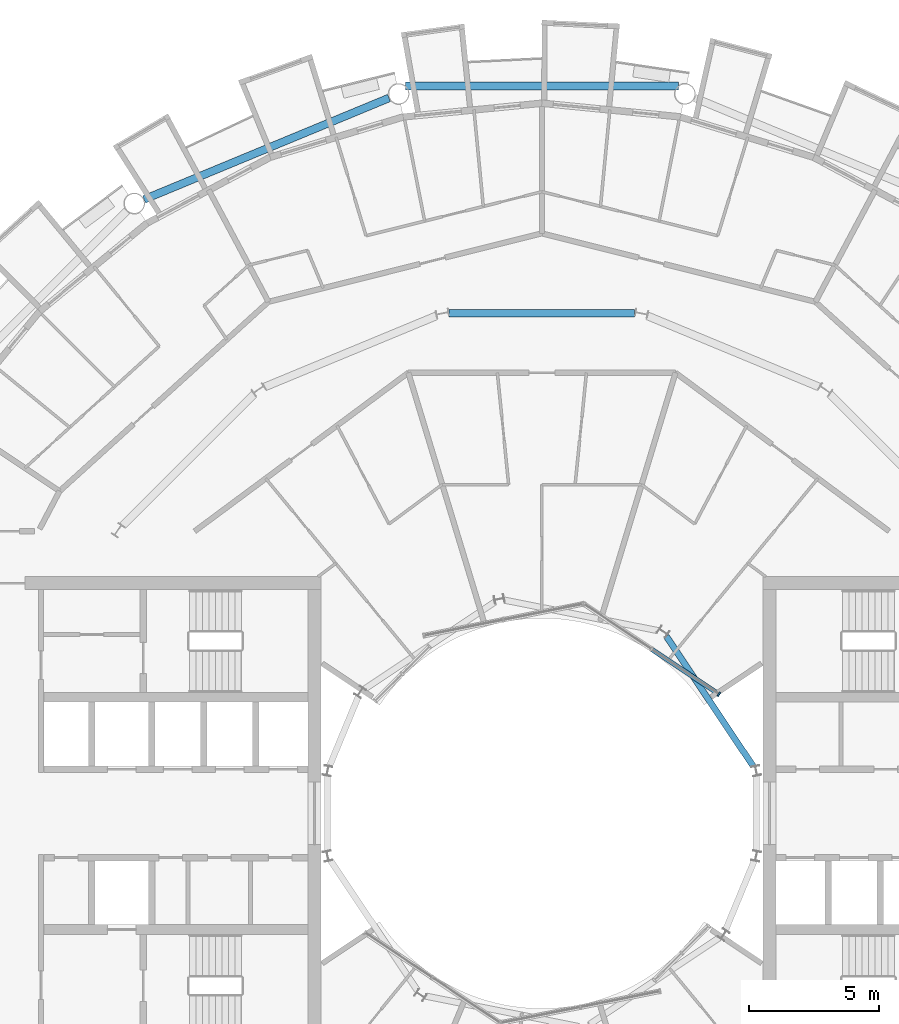
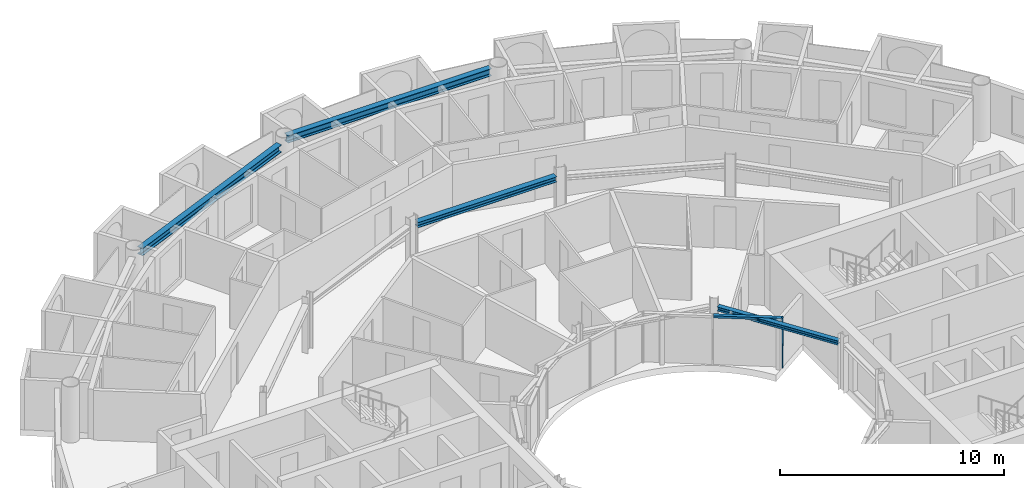
# One storey, part 9 of 26: 4 beams, 2 members, 1 element without a shape of its own.
"""IFC4 building model written with IfcOpenShell, lengths in metres."""

from ifc_helpers import new_model, si_unit, direction, frame, origin, origin_2d, place, context, subcontext, project, spatial, rectangle, i_section, extrude, material, layer, layer_set, material_profile, profile_set, type_object, element, aggregate, save


model = new_model("IFC4")

# Units and contexts
model_context = context("Model", 3, precision=1e-05, world=origin(), true_north=direction((0.0, 1.0)))
body_context = subcontext(model_context, "Body", "Model", "MODEL_VIEW")
ifc_project = project(units=[si_unit("LENGTHUNIT", "METRE"), si_unit("AREAUNIT", "SQUARE_METRE"), si_unit("VOLUMEUNIT", "CUBIC_METRE"), si_unit("PLANEANGLEUNIT", "RADIAN"), si_unit("MASSUNIT", "GRAM", prefix="KILO")], contexts=[model_context])

# Site, building, storey
site_placement = place(None, origin())
site = spatial("IfcSite", under=ifc_project, at=site_placement, CompositionType="ELEMENT")
building_placement = place(site_placement, origin())
building = spatial("IfcBuilding", under=site, at=building_placement, Name="Maasbend Ring Residences", CompositionType="ELEMENT")
storey_placement = place(building_placement, frame((0.0, 0.0, 154.35009765625)))
storey = spatial("IfcBuildingStorey", under=building, at=storey_placement, Name="L44", CompositionType="ELEMENT", Elevation=154.35009765625)

# Curtain wall, members
ifc_material_1 = material(Name="Aluminium and clear glass", Category="aluminium")
ifc_layer = layer(ifc_material_1, 0.179931640625)
ifc_layer_set = layer_set([ifc_layer], Name="CW-W")
curtain_wall_type = type_object("IfcCurtainWallType", Name="CW-W", PredefinedType="NOTDEFINED", material=ifc_layer_set)
curtain_wall_placement = place(storey_placement, origin())
curtain_wall = element("IfcCurtainWall", 1, at=curtain_wall_placement, inside=storey, type_object=curtain_wall_type, Name="Well curtain wall N1", PredefinedType="NOTDEFINED")
ifc_material_2 = material(Name="Aluminium 6063-T6", Category="aluminium")
ifc_material_profile_1 = material_profile(ifc_material_2, rectangle(XDim=0.179931640625, YDim=0.06005859375, at=origin_2d()), Name="AL 180x60")
ifc_profile_set_1 = profile_set([ifc_material_profile_1], Name="Aluminium 6063-T6")
member_type_1 = type_object("IfcMemberType", Name="CWM-W", PredefinedType="MULLION", material=ifc_profile_set_1)
member_1_placement = place(storey_placement, frame((6.805908203125, 4.580810546875, 0.0), z_axis=(0.0, 0.0, 1.0), x_axis=(-0.55557023302, -0.831469612303, 0.0)))
member_1 = element("IfcMember", 2, at=member_1_placement, type_object=member_type_1, Name="Mullion well face", PredefinedType="MULLION", context=body_context, shape_type="SweptSolid", body=[
    extrude(rectangle(XDim=0.179931640625, YDim=0.06005859375, at=origin_2d()), origin(), (0.0, 0.0, 1.0), 2.699951171875),
])
ifc_material_3 = material(Name="Aluminium 6063-T6", Category="aluminium")
ifc_material_profile_2 = material_profile(ifc_material_3, rectangle(XDim=0.179931640625, YDim=0.1201171875, at=origin_2d()), Name="AL 180x120")
ifc_profile_set_2 = profile_set([ifc_material_profile_2], Name="Aluminium 6063-T6")
member_type_2 = type_object("IfcMemberType", Name="CWT-W", PredefinedType="USERDEFINED", material=ifc_profile_set_2)
member_2_placement = place(storey_placement, frame((6.781005859375, 4.59765625, 2.639892578125), z_axis=(-0.831496422459, 0.555530106689, 0.0), x_axis=(-0.555530106689, -0.831496422459, 0.0)))
member_2 = element("IfcMember", 3, at=member_2_placement, type_object=member_type_2, Name="Transom well face", ObjectType="TRANSOM", PredefinedType="USERDEFINED", context=body_context, shape_type="SweptSolid", body=[
    extrude(rectangle(XDim=0.179931640625, YDim=0.1201171875, at=origin_2d()), origin(), (0.0, 0.0, 1.0), 3.053955078125),
])
aggregate(curtain_wall, [member_1, member_2])

# Beams
ifc_material_4 = material(Name="Steel S355J2", Category="steel")
ifc_material_profile_3 = material_profile(ifc_material_4, i_section(OverallWidth=0.300048828125, OverallDepth=0.2900390625, WebThickness=0.008544921875, FlangeThickness=0.013916015625, FilletRadius=0.027099609375, at=origin_2d()), Name="HEA 300")
ifc_profile_set_3 = profile_set([ifc_material_profile_3], Name="Steel S355J2")
beam_type_1 = type_object("IfcBeamType", Name="Corridor ring beam HEA 300", PredefinedType="BEAM", material=ifc_profile_set_3)
beam_1_placement = place(storey_placement, frame((3.56884765625, 19.223388671875, 2.554931640625), z_axis=(-1.0, 0.0, 0.0), x_axis=(0.0, -1.0, 0.0)))
element("IfcBeam", 4, at=beam_1_placement, inside=storey, type_object=beam_type_1, Name="Corridor ring beam", PredefinedType="BEAM", context=body_context, shape_type="SweptSolid", body=[
    extrude(i_section(OverallWidth=0.300048828125, OverallDepth=0.2900390625, WebThickness=0.008544921875, FlangeThickness=0.013916015625, FilletRadius=0.027099609375, at=origin_2d()), origin(), (0.0, 0.0, 1.0), 7.1376953125),
])
ifc_material_5 = material(Name="Steel S355J2", Category="steel")
ifc_material_profile_4 = material_profile(ifc_material_5, i_section(OverallWidth=0.300048828125, OverallDepth=0.39990234375, WebThickness=0.013427734375, FlangeThickness=0.02392578125, FilletRadius=0.027099609375, at=origin_2d()), Name="HEB 400")
ifc_profile_set_4 = profile_set([ifc_material_profile_4], Name="Steel S355J2")
beam_type_2 = type_object("IfcBeamType", Name="Spandrel ring beam HEB 400", PredefinedType="SPANDREL", material=ifc_profile_set_4)
beam_2_placement = place(storey_placement, frame((5.2451171875, 27.9580078125, 2.5), z_axis=(-1.0, 0.0, 0.0), x_axis=(0.0, -1.0, 0.0)))
element("IfcBeam", 5, at=beam_2_placement, inside=storey, type_object=beam_type_2, Name="Spandrel ring beam", PredefinedType="SPANDREL", context=body_context, shape_type="SweptSolid", body=[
    extrude(i_section(OverallWidth=0.300048828125, OverallDepth=0.39990234375, WebThickness=0.013427734375, FlangeThickness=0.02392578125, FilletRadius=0.027099609375, at=origin_2d()), origin(), (0.0, 0.0, 1.0), 10.490234375),
])
beam_3_placement = place(storey_placement, frame((-5.877197265625, 27.50244140625, 2.5), z_axis=(-0.923883676188, -0.382673428492, 0.0), x_axis=(0.382673428492, -0.923883676188, 0.0)))
element("IfcBeam", 6, at=beam_3_placement, inside=storey, type_object=beam_type_2, Name="Spandrel ring beam", PredefinedType="SPANDREL", context=body_context, shape_type="SweptSolid", body=[
    extrude(i_section(OverallWidth=0.300048828125, OverallDepth=0.39990234375, WebThickness=0.013427734375, FlangeThickness=0.02392578125, FilletRadius=0.027099609375, at=origin_2d()), origin(), (0.0, 0.0, 1.0), 10.18994140625),
])
ifc_material_6 = material(Name="Steel S355J2", Category="steel")
ifc_material_profile_5 = material_profile(ifc_material_6, i_section(OverallWidth=0.239990234375, OverallDepth=0.22998046875, WebThickness=0.007568359375, FlangeThickness=0.011962890625, FilletRadius=0.02099609375, at=origin_2d()), Name="HEA 240")
ifc_profile_set_5 = profile_set([ifc_material_profile_5], Name="Steel S355J2")
beam_type_3 = type_object("IfcBeamType", Name="Well edge beam HEA 240", PredefinedType="BEAM", material=ifc_profile_set_5)
beam_4_placement = place(storey_placement, frame((8.121337890625, 1.814208984375, 2.5849609375), z_axis=(-0.555553413909, 0.831480850227, 0.0), x_axis=(-0.831480850227, -0.555553413909, 0.0)))
element("IfcBeam", 7, at=beam_4_placement, inside=storey, type_object=beam_type_3, Name="Well edge beam", PredefinedType="BEAM", context=body_context, shape_type="SweptSolid", body=[
    extrude(i_section(OverallWidth=0.239990234375, OverallDepth=0.22998046875, WebThickness=0.007568359375, FlangeThickness=0.011962890625, FilletRadius=0.02099609375, at=origin_2d()), origin(), (0.0, 0.0, 1.0), 6.0068359375),
])

save(model, "model.ifc")
